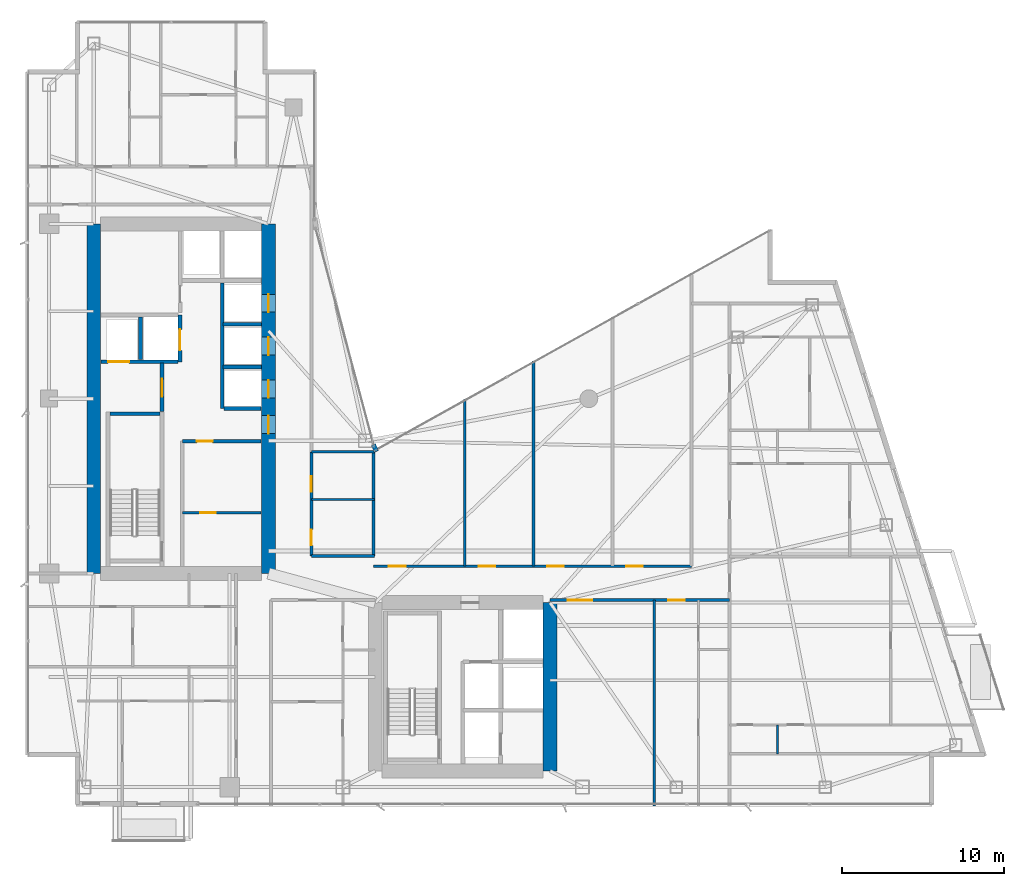
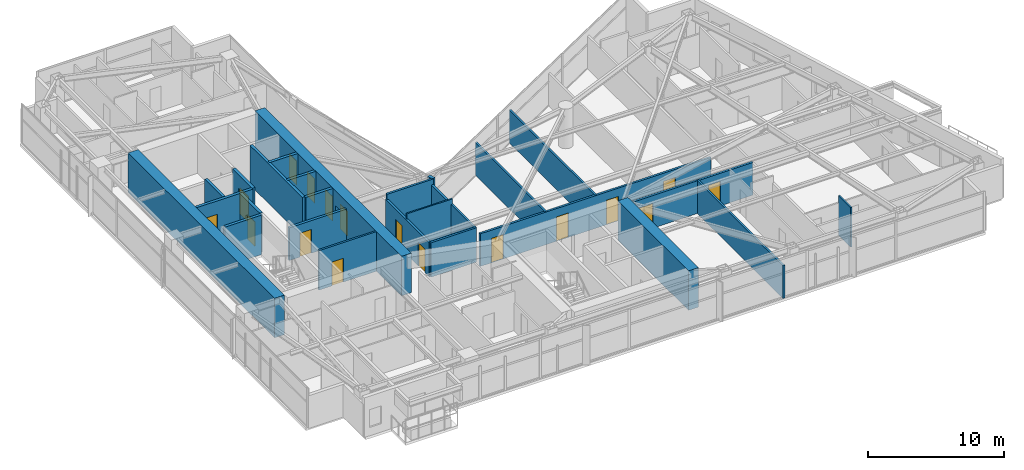
# One storey, part 23 of 29: 26 walls, 17 doors, 17 openings.
"""IFC4 building model written with IfcOpenShell, lengths in metres."""

from ifc_helpers import new_model, si_unit, direction, frame, frame_2d, origin, place, context, subcontext, project, spatial, rectangle, extrude, material, layer, layer_set, type_object, element, fill, save


model = new_model("IFC4")

# Units and contexts
model_context = context("Model", 3, precision=1e-05, world=origin(), true_north=direction((0.0, 1.0)))
body_context = subcontext(model_context, "Body", "Model", "MODEL_VIEW")
ifc_project = project(units=[si_unit("LENGTHUNIT", "METRE"), si_unit("AREAUNIT", "SQUARE_METRE"), si_unit("VOLUMEUNIT", "CUBIC_METRE"), si_unit("PLANEANGLEUNIT", "RADIAN"), si_unit("MASSUNIT", "GRAM", prefix="KILO")], contexts=[model_context])

# Site, building, storey
site_placement = place(None, origin())
site = spatial("IfcSite", under=ifc_project, at=site_placement, CompositionType="ELEMENT")
building_placement = place(site_placement, origin())
building = spatial("IfcBuilding", under=site, at=building_placement, Name="Calvorn Quay Hotel", CompositionType="ELEMENT")
storey_placement = place(building_placement, frame((0.0, 0.0, 148.5)))
storey = spatial("IfcBuildingStorey", under=building, at=storey_placement, Name="L36", CompositionType="ELEMENT", Elevation=148.5)

# Wall
ifc_material_1 = material(Name="Concrete C50", Category="concrete")
ifc_layer_1 = layer(ifc_material_1, 0.85009765625)
ifc_layer_set_1 = layer_set([ifc_layer_1], Name="WL-CORE-850")
wall_type_1 = type_object("IfcWallType", Name="WL-CORE-850", PredefinedType="SHEAR", material=ifc_layer_set_1)
wall_1_placement = place(storey_placement, frame((4.199951171875, 16.800048828125, 0.0), z_axis=(0.0, 0.0, 1.0), x_axis=(0.0, 1.0, 0.0)))
element("IfcWall", 1, at=wall_1_placement, inside=storey, type_object=wall_type_1, Name="West Core Shear Wall W (L36)", PredefinedType="SHEAR", context=body_context, shape_type="SweptSolid", body=[
    extrude(rectangle(XDim=21.599853515625, YDim=0.85009765625, at=frame_2d((10.7998046875, 0.0))), origin(), (0.0, 0.0, 1.0), 3.56005859375),
])

# Wall, openings, doors
wall_2_placement = place(storey_placement, frame((15.0, 16.800048828125, 0.0), z_axis=(0.0, 0.0, 1.0), x_axis=(0.0, 1.0, 0.0)))
wall_2 = element("IfcWall", 2, at=wall_2_placement, inside=storey, type_object=wall_type_1, Name="West Core Shear Wall E (L36)", PredefinedType="SHEAR", context=body_context, shape_type="SweptSolid", body=[
    extrude(rectangle(XDim=21.599853515625, YDim=0.85009765625, at=frame_2d((10.7998046875, 0.0))), origin(), (0.0, 0.0, 1.0), 3.56005859375),
])
opening_1_placement = place(wall_2_placement, frame((8.64990234375, 0.0, 0.0)))
opening_1 = element("IfcOpeningElement", 3, at=opening_1_placement, cuts=wall_2, Name="Opening D-L36-CW1", PredefinedType="OPENING", context=body_context, shape_type="SweptSolid", body=[
    extrude(rectangle(XDim=1.10009765625, YDim=2.199951171875, at=frame_2d((0.550048828125, 1.10009765625))), frame((0.0, 0.43505859375, 0.0), z_axis=(0.0, -1.0, 0.0), x_axis=(1.0, 0.0, 0.0)), (0.0, 0.0, 1.0), 0.8701171875),
])
opening_2_placement = place(wall_2_placement, frame((10.85009765625, 0.0, 0.0)))
opening_2 = element("IfcOpeningElement", 4, at=opening_2_placement, cuts=wall_2, Name="Opening LD-L36-M1", PredefinedType="OPENING", context=body_context, shape_type="SweptSolid", body=[
    extrude(rectangle(XDim=1.10009765625, YDim=2.199951171875, at=frame_2d((0.550048828125, 1.10009765625))), frame((0.0, 0.43505859375, 0.0), z_axis=(0.0, -1.0, 0.0), x_axis=(1.0, 0.0, 0.0)), (0.0, 0.0, 1.0), 0.8701171875),
])
opening_3_placement = place(wall_2_placement, frame((13.5, 0.0, 0.0)))
opening_3 = element("IfcOpeningElement", 5, at=opening_3_placement, cuts=wall_2, Name="Opening LD-L36-M2", PredefinedType="OPENING", context=body_context, shape_type="SweptSolid", body=[
    extrude(rectangle(XDim=1.10009765625, YDim=2.199951171875, at=frame_2d((0.550048828125, 1.10009765625))), frame((0.0, 0.43505859375, 0.0), z_axis=(0.0, -1.0, 0.0), x_axis=(1.0, 0.0, 0.0)), (0.0, 0.0, 1.0), 0.8701171875),
])
opening_4_placement = place(wall_2_placement, frame((16.14990234375, 0.0, 0.0)))
opening_4 = element("IfcOpeningElement", 6, at=opening_4_placement, cuts=wall_2, Name="Opening LD-L36-M3", PredefinedType="OPENING", context=body_context, shape_type="SweptSolid", body=[
    extrude(rectangle(XDim=1.10009765625, YDim=2.199951171875, at=frame_2d((0.550048828125, 1.10009765625))), frame((0.0, 0.43505859375, 0.0), z_axis=(0.0, -1.0, 0.0), x_axis=(1.0, 0.0, 0.0)), (0.0, 0.0, 1.0), 0.8701171875),
])
ifc_material_2 = material(Name="Smoke-Sealed Steel Class A Fire Door", Category="steel")
door_type_1 = type_object("IfcDoorType", Name="DR-FFLOBBY-1100", OperationType="NOTDEFINED", PredefinedType="DOOR", material=ifc_material_2)
door_1_placement = place(opening_1_placement, origin())
door_1 = element("IfcDoor", 7, at=door_1_placement, inside=storey, type_object=door_type_1, Name="West Core Vestibule Fire Door (L36)", OperationType="SINGLE_SWING_LEFT", OverallHeight=2.199951171875, OverallWidth=1.10009765625, PredefinedType="DOOR", context=body_context, shape_type="SweptSolid", body=[
    extrude(rectangle(XDim=1.10009765625, YDim=2.199951171875, at=frame_2d((0.550048828125, 1.10009765625))), frame((0.0, 0.02490234375, 0.0), z_axis=(0.0, -1.0, 0.0), x_axis=(1.0, 0.0, 0.0)), (0.0, 0.0, 1.0), 0.050048828125),
])
fill(opening_1, door_1)
ifc_material_3 = material(Name="Brushed Stainless Steel Sliding Lift Landing Door", Category="steel")
door_type_2 = type_object("IfcDoorType", Name="DR-LIFT-PASS-1100", OperationType="NOTDEFINED", PredefinedType="DOOR", material=ifc_material_3)
door_2_placement = place(opening_2_placement, origin())
door_2 = element("IfcDoor", 8, at=door_2_placement, inside=storey, type_object=door_type_2, Name="Mid-Rise Lift PL-M1 Landing Door (L36)", OperationType="DOUBLE_DOOR_SLIDING", OverallHeight=2.199951171875, OverallWidth=1.10009765625, PredefinedType="DOOR", context=body_context, shape_type="SweptSolid", body=[
    extrude(rectangle(XDim=1.10009765625, YDim=2.199951171875, at=frame_2d((0.550048828125, 1.10009765625))), frame((0.0, 0.02490234375, 0.0), z_axis=(0.0, -1.0, 0.0), x_axis=(1.0, 0.0, 0.0)), (0.0, 0.0, 1.0), 0.050048828125),
])
fill(opening_2, door_2)
door_3_placement = place(opening_3_placement, origin())
door_3 = element("IfcDoor", 9, at=door_3_placement, inside=storey, type_object=door_type_2, Name="Mid-Rise Lift PL-M2 Landing Door (L36)", OperationType="DOUBLE_DOOR_SLIDING", OverallHeight=2.199951171875, OverallWidth=1.10009765625, PredefinedType="DOOR", context=body_context, shape_type="SweptSolid", body=[
    extrude(rectangle(XDim=1.10009765625, YDim=2.199951171875, at=frame_2d((0.550048828125, 1.10009765625))), frame((0.0, 0.02490234375, 0.0), z_axis=(0.0, -1.0, 0.0), x_axis=(1.0, 0.0, 0.0)), (0.0, 0.0, 1.0), 0.050048828125),
])
fill(opening_3, door_3)
door_4_placement = place(opening_4_placement, origin())
door_4 = element("IfcDoor", 10, at=door_4_placement, inside=storey, type_object=door_type_2, Name="Mid-Rise Lift PL-M3 Landing Door (L36)", OperationType="DOUBLE_DOOR_SLIDING", OverallHeight=2.199951171875, OverallWidth=1.10009765625, PredefinedType="DOOR", context=body_context, shape_type="SweptSolid", body=[
    extrude(rectangle(XDim=1.10009765625, YDim=2.199951171875, at=frame_2d((0.550048828125, 1.10009765625))), frame((0.0, 0.02490234375, 0.0), z_axis=(0.0, -1.0, 0.0), x_axis=(1.0, 0.0, 0.0)), (0.0, 0.0, 1.0), 0.050048828125),
])
fill(opening_4, door_4)

# Walls
wall_3_placement = place(storey_placement, frame((32.39990234375, 4.60009765625, 0.0), z_axis=(0.0, 0.0, 1.0), x_axis=(0.0, 1.0, 0.0)))
element("IfcWall", 11, at=wall_3_placement, inside=storey, type_object=wall_type_1, Name="East Core Shear Wall E (L36)", PredefinedType="SHEAR", context=body_context, shape_type="SweptSolid", body=[
    extrude(rectangle(XDim=10.39990234375, YDim=0.85009765625, at=frame_2d((5.199951171875, 0.0))), origin(), (0.0, 0.0, 1.0), 3.56005859375),
])
ifc_material_4 = material(Name="Acoustic Fireboard Steel-Stud Partition", Category="steel")
ifc_layer_2 = layer(ifc_material_4, 0.179931640625)
ifc_layer_set_2 = layer_set([ifc_layer_2], Name="WL-CORR-FIRE-180")
wall_type_2 = type_object("IfcWallType", Name="WL-CORR-FIRE-180", PredefinedType="PARTITIONING", material=ifc_layer_set_2)
wall_4_placement = place(storey_placement, frame((17.64990234375, 17.8798828125, 0.0), z_axis=(0.0, 0.0, 1.0), x_axis=(1.0, 0.0, 0.0)))
element("IfcWall", 12, at=wall_4_placement, inside=storey, type_object=wall_type_2, Name="Partition Wall L36-WL-HK-S", PredefinedType="PARTITIONING", context=body_context, shape_type="SweptSolid", body=[
    extrude(rectangle(XDim=3.900146484375, YDim=0.179931640625, at=frame_2d((1.9501953125, 0.0))), origin(), (0.0, 0.0, 1.0), 3.090087890625),
])
wall_5_placement = place(storey_placement, frame((17.64990234375, 24.320068359375, 0.0), z_axis=(0.0, 0.0, 1.0), x_axis=(1.0, 0.0, 0.0)))
element("IfcWall", 13, at=wall_5_placement, inside=storey, type_object=wall_type_2, Name="Partition Wall L36-WL-HK-N", PredefinedType="PARTITIONING", context=body_context, shape_type="SweptSolid", body=[
    extrude(rectangle(XDim=3.9501953125, YDim=0.179931640625, at=frame_2d((1.97509765625, 0.0))), origin(), (0.0, 0.0, 1.0), 3.56005859375),
])
wall_6_placement = place(storey_placement, frame((21.5, 17.8798828125, 0.0), z_axis=(0.0, 0.0, 1.0), x_axis=(0.0, 1.0, 0.0)))
element("IfcWall", 14, at=wall_6_placement, inside=storey, type_object=wall_type_2, Name="Partition Wall L36-WL-HK-E", PredefinedType="PARTITIONING", context=body_context, shape_type="SweptSolid", body=[
    extrude(rectangle(XDim=6.440185546875, YDim=0.179931640625, at=frame_2d((3.22021484375, 0.0))), origin(), (0.0, 0.0, 1.0), 3.090087890625),
])

# Wall, openings, doors
wall_7_placement = place(storey_placement, frame((17.64990234375, 17.8798828125, 0.0), z_axis=(0.0, 0.0, 1.0), x_axis=(0.0, 1.0, 0.0)))
wall_7 = element("IfcWall", 15, at=wall_7_placement, inside=storey, type_object=wall_type_2, Name="Partition Wall L36-WL-HK-W", PredefinedType="PARTITIONING", context=body_context, shape_type="SweptSolid", body=[
    extrude(rectangle(XDim=6.440185546875, YDim=0.179931640625, at=frame_2d((3.22021484375, 0.0))), origin(), (0.0, 0.0, 1.0), 3.090087890625),
])
opening_5_placement = place(wall_7_placement, frame((0.64990234375, 0.0, 0.0)))
opening_5 = element("IfcOpeningElement", 16, at=opening_5_placement, cuts=wall_7, Name="Opening D-L36-HK", PredefinedType="OPENING", context=body_context, shape_type="SweptSolid", body=[
    extrude(rectangle(XDim=0.97998046875, YDim=2.14990234375, at=frame_2d((0.489990234375, 1.074951171875))), frame((0.0, 0.099853515625, 0.0), z_axis=(0.0, -1.0, 0.0), x_axis=(1.0, 0.0, 0.0)), (0.0, 0.0, 1.0), 0.199951171875),
])
opening_6_placement = place(wall_7_placement, frame((3.969970703125, 0.0, 0.0)))
opening_6 = element("IfcOpeningElement", 17, at=opening_6_placement, cuts=wall_7, Name="Opening D-L36-NCP", PredefinedType="OPENING", context=body_context, shape_type="SweptSolid", body=[
    extrude(rectangle(XDim=0.9599609375, YDim=2.199951171875, at=frame_2d((0.47998046875, 1.10009765625))), frame((0.0, 0.099853515625, 0.0), z_axis=(0.0, -1.0, 0.0), x_axis=(1.0, 0.0, 0.0)), (0.0, 0.0, 1.0), 0.199951171875),
])
ifc_material_5 = material(Name="Painted Steel Housekeeping/Riser Fire Door", Category="steel")
door_type_3 = type_object("IfcDoorType", Name="DR-SERVICE-980", OperationType="NOTDEFINED", PredefinedType="DOOR", material=ifc_material_5)
door_5_placement = place(opening_5_placement, origin())
door_5 = element("IfcDoor", 18, at=door_5_placement, inside=storey, type_object=door_type_3, Name="Floor Housekeeping Door (L36)", OperationType="SINGLE_SWING_LEFT", OverallHeight=2.14990234375, OverallWidth=0.97998046875, PredefinedType="DOOR", context=body_context, shape_type="SweptSolid", body=[
    extrude(rectangle(XDim=0.97998046875, YDim=2.14990234375, at=frame_2d((0.489990234375, 1.074951171875))), frame((0.0, 0.02490234375, 0.0), z_axis=(0.0, -1.0, 0.0), x_axis=(1.0, 0.0, 0.0)), (0.0, 0.0, 1.0), 0.050048828125),
])
fill(opening_5, door_5)
ifc_material_6 = material(Name="Solid Timber Internal Suite Door", Category="wood")
door_type_4 = type_object("IfcDoorType", Name="DR-SUITE-INT-960", OperationType="NOTDEFINED", PredefinedType="DOOR", material=ifc_material_6)
door_6_placement = place(opening_6_placement, origin())
door_6 = element("IfcDoor", 19, at=door_6_placement, inside=storey, type_object=door_type_4, Name="Reading Alcove Door (L36)", OperationType="SINGLE_SWING_RIGHT", OverallHeight=2.199951171875, OverallWidth=0.9599609375, PredefinedType="DOOR", context=body_context, shape_type="SweptSolid", body=[
    extrude(rectangle(XDim=0.9599609375, YDim=2.199951171875, at=frame_2d((0.47998046875, 1.10009765625))), frame((0.0, 0.02490234375, 0.0), z_axis=(0.0, -1.0, 0.0), x_axis=(1.0, 0.0, 0.0)), (0.0, 0.0, 1.0), 0.050048828125),
])
fill(opening_6, door_6)

wall_8_placement = place(storey_placement, frame((32.39990234375, 15.14990234375, 0.0), z_axis=(0.0, 0.0, 1.0), x_axis=(1.0, 0.0, 0.0)))
wall_8 = element("IfcWall", 20, at=wall_8_placement, inside=storey, type_object=wall_type_2, Name="Partition Wall L36-WL-CORR-SE-S", PredefinedType="PARTITIONING", context=body_context, shape_type="SweptSolid", body=[
    extrude(rectangle(XDim=11.10009765625, YDim=0.179931640625, at=frame_2d((5.550048828125, 0.0))), origin(), (0.0, 0.0, 1.0), 2.93994140625),
])
opening_7_placement = place(wall_8_placement, frame((1.10009765625, 0.0, 0.0)))
opening_7 = element("IfcOpeningElement", 21, at=opening_7_placement, cuts=wall_8, Name="Opening D-L36-SEM", PredefinedType="OPENING", context=body_context, shape_type="SweptSolid", body=[
    extrude(rectangle(XDim=1.5, YDim=2.219970703125, at=frame_2d((0.75, 1.10986328125))), frame((0.0, 0.099853515625, 0.0), z_axis=(0.0, -1.0, 0.0), x_axis=(1.0, 0.0, 0.0)), (0.0, 0.0, 1.0), 0.199951171875),
])
opening_8_placement = place(wall_8_placement, frame((7.300048828125, 0.0, 0.0)))
opening_8 = element("IfcOpeningElement", 22, at=opening_8_placement, cuts=wall_8, Name="Opening D-L36-U06", PredefinedType="OPENING", context=body_context, shape_type="SweptSolid", body=[
    extrude(rectangle(XDim=1.02001953125, YDim=2.199951171875, at=frame_2d((0.510009765625, 1.10009765625))), frame((0.0, 0.099853515625, 0.0), z_axis=(0.0, -1.0, 0.0), x_axis=(1.0, 0.0, 0.0)), (0.0, 0.0, 1.0), 0.199951171875),
])
ifc_material_7 = material(Name="Solid-Core Walnut Veneer Hotel Fire Door")
door_type_5 = type_object("IfcDoorType", Name="DR-GUEST-ENTRY-1020", OperationType="NOTDEFINED", PredefinedType="DOOR", material=ifc_material_7)
door_7_placement = place(opening_8_placement, origin())
door_7 = element("IfcDoor", 23, at=door_7_placement, inside=storey, type_object=door_type_5, Name="South-East Unit Door U06 (L36)", OperationType="SINGLE_SWING_RIGHT", OverallHeight=2.199951171875, OverallWidth=1.02001953125, PredefinedType="DOOR", context=body_context, shape_type="SweptSolid", body=[
    extrude(rectangle(XDim=1.02001953125, YDim=2.199951171875, at=frame_2d((0.510009765625, 1.10009765625))), frame((0.0, 0.02490234375, 0.0), z_axis=(0.0, -1.0, 0.0), x_axis=(1.0, 0.0, 0.0)), (0.0, 0.0, 1.0), 0.050048828125),
])
fill(opening_8, door_7)
ifc_material_8 = material(Name="Solid-Core Walnut Double Suite Entry Door")
door_type_6 = type_object("IfcDoorType", Name="DR-SUITE-DBL-1500", OperationType="NOTDEFINED", PredefinedType="DOOR", material=ifc_material_8)
door_8_placement = place(opening_7_placement, origin())
door_8 = element("IfcDoor", 24, at=door_8_placement, inside=storey, type_object=door_type_6, Name="Conference Salon Door (L36)", OperationType="SINGLE_SWING_LEFT", OverallHeight=2.219970703125, OverallWidth=1.5, PredefinedType="DOOR", context=body_context, shape_type="SweptSolid", body=[
    extrude(rectangle(XDim=1.5, YDim=2.219970703125, at=frame_2d((0.75, 1.10986328125))), frame((0.0, 0.02490234375, 0.0), z_axis=(0.0, -1.0, 0.0), x_axis=(1.0, 0.0, 0.0)), (0.0, 0.0, 1.0), 0.050048828125),
])
fill(opening_7, door_8)

wall_9_placement = place(storey_placement, frame((21.5, 17.25, 0.0), z_axis=(0.0, 0.0, 1.0), x_axis=(1.0, 0.0, 0.0)))
wall_9 = element("IfcWall", 25, at=wall_9_placement, inside=storey, type_object=wall_type_2, Name="Partition Wall L36-WL-CORR-NE-N", PredefinedType="PARTITIONING", context=body_context, shape_type="SweptSolid", body=[
    extrude(rectangle(XDim=19.64990234375, YDim=0.179931640625, at=frame_2d((9.824951171875, 0.0))), origin(), (0.0, 0.0, 1.0), 2.93994140625),
])
opening_9_placement = place(wall_9_placement, frame((0.949951171875, 0.0, 0.0)))
opening_9 = element("IfcOpeningElement", 26, at=opening_9_placement, cuts=wall_9, Name="Opening D-L36-NS1", PredefinedType="OPENING", context=body_context, shape_type="SweptSolid", body=[
    extrude(rectangle(XDim=1.02001953125, YDim=2.199951171875, at=frame_2d((0.510009765625, 1.10009765625))), frame((0.0, 0.099853515625, 0.0), z_axis=(0.0, -1.0, 0.0), x_axis=(1.0, 0.0, 0.0)), (0.0, 0.0, 1.0), 0.199951171875),
])
opening_10_placement = place(wall_9_placement, frame((6.489990234375, 0.0, 0.0)))
opening_10 = element("IfcOpeningElement", 27, at=opening_10_placement, cuts=wall_9, Name="Opening D-L36-NS2", PredefinedType="OPENING", context=body_context, shape_type="SweptSolid", body=[
    extrude(rectangle(XDim=1.02001953125, YDim=2.199951171875, at=frame_2d((0.510009765625, 1.10009765625))), frame((0.0, 0.099853515625, 0.0), z_axis=(0.0, -1.0, 0.0), x_axis=(1.0, 0.0, 0.0)), (0.0, 0.0, 1.0), 0.199951171875),
])
opening_11_placement = place(wall_9_placement, frame((10.72998046875, 0.0, 0.0)))
opening_11 = element("IfcOpeningElement", 28, at=opening_11_placement, cuts=wall_9, Name="Opening D-L36-NS3", PredefinedType="OPENING", context=body_context, shape_type="SweptSolid", body=[
    extrude(rectangle(XDim=1.02001953125, YDim=2.199951171875, at=frame_2d((0.510009765625, 1.10009765625))), frame((0.0, 0.099853515625, 0.0), z_axis=(0.0, -1.0, 0.0), x_axis=(1.0, 0.0, 0.0)), (0.0, 0.0, 1.0), 0.199951171875),
])
opening_12_placement = place(wall_9_placement, frame((15.610107421875, 0.0, 0.0)))
opening_12 = element("IfcOpeningElement", 29, at=opening_12_placement, cuts=wall_9, Name="Opening D-L36-NS4", PredefinedType="OPENING", context=body_context, shape_type="SweptSolid", body=[
    extrude(rectangle(XDim=1.02001953125, YDim=2.199951171875, at=frame_2d((0.510009765625, 1.10009765625))), frame((0.0, 0.099853515625, 0.0), z_axis=(0.0, -1.0, 0.0), x_axis=(1.0, 0.0, 0.0)), (0.0, 0.0, 1.0), 0.199951171875),
])
door_9_placement = place(opening_9_placement, origin())
door_9 = element("IfcDoor", 30, at=door_9_placement, inside=storey, type_object=door_type_5, Name="Conservatory Salon Door 1 (L36)", OperationType="SINGLE_SWING_RIGHT", OverallHeight=2.199951171875, OverallWidth=1.02001953125, PredefinedType="DOOR", context=body_context, shape_type="SweptSolid", body=[
    extrude(rectangle(XDim=1.02001953125, YDim=2.199951171875, at=frame_2d((0.510009765625, 1.10009765625))), frame((0.0, 0.02490234375, 0.0), z_axis=(0.0, -1.0, 0.0), x_axis=(1.0, 0.0, 0.0)), (0.0, 0.0, 1.0), 0.050048828125),
])
fill(opening_9, door_9)
door_10_placement = place(opening_10_placement, origin())
door_10 = element("IfcDoor", 31, at=door_10_placement, inside=storey, type_object=door_type_5, Name="Conservatory Salon Door 2 (L36)", OperationType="SINGLE_SWING_LEFT", OverallHeight=2.199951171875, OverallWidth=1.02001953125, PredefinedType="DOOR", context=body_context, shape_type="SweptSolid", body=[
    extrude(rectangle(XDim=1.02001953125, YDim=2.199951171875, at=frame_2d((0.510009765625, 1.10009765625))), frame((0.0, 0.02490234375, 0.0), z_axis=(0.0, -1.0, 0.0), x_axis=(1.0, 0.0, 0.0)), (0.0, 0.0, 1.0), 0.050048828125),
])
fill(opening_10, door_10)
door_11_placement = place(opening_11_placement, origin())
door_11 = element("IfcDoor", 32, at=door_11_placement, inside=storey, type_object=door_type_5, Name="Conservatory Salon Door 3 (L36)", OperationType="SINGLE_SWING_RIGHT", OverallHeight=2.199951171875, OverallWidth=1.02001953125, PredefinedType="DOOR", context=body_context, shape_type="SweptSolid", body=[
    extrude(rectangle(XDim=1.02001953125, YDim=2.199951171875, at=frame_2d((0.510009765625, 1.10009765625))), frame((0.0, 0.02490234375, 0.0), z_axis=(0.0, -1.0, 0.0), x_axis=(1.0, 0.0, 0.0)), (0.0, 0.0, 1.0), 0.050048828125),
])
fill(opening_11, door_11)
door_12_placement = place(opening_12_placement, origin())
door_12 = element("IfcDoor", 33, at=door_12_placement, inside=storey, type_object=door_type_5, Name="Conservatory Salon Door 4 (L36)", OperationType="SINGLE_SWING_LEFT", OverallHeight=2.199951171875, OverallWidth=1.02001953125, PredefinedType="DOOR", context=body_context, shape_type="SweptSolid", body=[
    extrude(rectangle(XDim=1.02001953125, YDim=2.199951171875, at=frame_2d((0.510009765625, 1.10009765625))), frame((0.0, 0.02490234375, 0.0), z_axis=(0.0, -1.0, 0.0), x_axis=(1.0, 0.0, 0.0)), (0.0, 0.0, 1.0), 0.050048828125),
])
fill(opening_12, door_12)

# Walls
ifc_material_9 = material(Name="Moisture-Resistant Tile-Backed Partition")
ifc_layer_3 = layer(ifc_material_9, 0.125)
ifc_layer_set_3 = layer_set([ifc_layer_3], Name="WL-ENSUITE-125")
wall_type_3 = type_object("IfcWallType", Name="WL-ENSUITE-125", PredefinedType="PARTITIONING", material=ifc_layer_set_3)
wall_10_placement = place(storey_placement, frame((17.64990234375, 21.3798828125, 0.0), z_axis=(0.0, 0.0, 1.0), x_axis=(1.0, 0.0, 0.0)))
element("IfcWall", 34, at=wall_10_placement, inside=storey, type_object=wall_type_3, Name="Partition Wall L36-WL-HK-M", PredefinedType="PARTITIONING", context=body_context, shape_type="SweptSolid", body=[
    extrude(rectangle(XDim=3.900146484375, YDim=0.125, at=frame_2d((1.9501953125, 0.0))), origin(), (0.0, 0.0, 1.0), 3.56005859375),
])
wall_11_placement = place(storey_placement, frame((46.449951171875, 5.659912109375, 0.0), z_axis=(0.0, 0.0, 1.0), x_axis=(0.0, 1.0, 0.0)))
element("IfcWall", 35, at=wall_11_placement, inside=storey, type_object=wall_type_3, Name="Partition Wall L36-WL-U07-BDV", PredefinedType="PARTITIONING", context=body_context, shape_type="SweptSolid", body=[
    extrude(rectangle(XDim=1.7900390625, YDim=0.125, at=frame_2d((0.89501953125, 0.0))), origin(), (0.0, 0.0, 1.0), 3.56005859375),
])
ifc_material_10 = material(Name="Concrete C40", Category="concrete")
ifc_layer_4 = layer(ifc_material_10, 0.320068359375)
ifc_layer_set_4 = layer_set([ifc_layer_4], Name="WL-EXT-SPANDREL-320")
wall_type_4 = type_object("IfcWallType", Name="WL-EXT-SPANDREL-320", PredefinedType="SOLIDWALL", material=ifc_layer_set_4)
wall_12_placement = place(storey_placement, frame((21.679931640625, 24.340087890625, 0.0), z_axis=(0.0, 0.0, 1.0), x_axis=(-0.40758134973, 0.913168901875, 0.0)))
element("IfcWall", 36, at=wall_12_placement, inside=storey, type_object=wall_type_4, Name="Inner Court Corner Pier L36-ICJ1", PredefinedType="SOLIDWALL", context=body_context, shape_type="SweptSolid", body=[
    extrude(rectangle(XDim=0.470703125, YDim=0.280029296875, at=frame_2d((0.2353515625, 0.0))), origin(), (0.0, 0.0, 1.0), 3.56005859375),
])

# Wall, opening, door
ifc_material_11 = material(Name="Double-Stud Acoustic Gypsum Partition")
ifc_layer_5 = layer(ifc_material_11, 0.159912109375)
ifc_layer_set_5 = layer_set([ifc_layer_5], Name="WL-INTERSUITE-160")
wall_type_5 = type_object("IfcWallType", Name="WL-INTERSUITE-160", PredefinedType="PARTITIONING", material=ifc_layer_set_5)
wall_13_placement = place(storey_placement, frame((9.679931640625, 20.550048828125, 0.0), z_axis=(0.0, 0.0, 1.0), x_axis=(1.0, 0.0, 0.0)))
wall_13 = element("IfcWall", 37, at=wall_13_placement, inside=storey, type_object=wall_type_5, Name="Partition Wall L36-WL-CWW-FR-SPLIT", PredefinedType="PARTITIONING", context=body_context, shape_type="SweptSolid", body=[
    extrude(rectangle(XDim=4.875, YDim=0.159912109375, at=frame_2d((2.4375, 0.0))), origin(), (0.0, 0.0, 1.0), 3.56005859375),
])
opening_13_placement = place(wall_13_placement, frame((1.10009765625, 0.0, 0.0)))
opening_13 = element("IfcOpeningElement", 38, at=opening_13_placement, cuts=wall_13, Name="Opening D-L36-FRL1", PredefinedType="OPENING", context=body_context, shape_type="SweptSolid", body=[
    extrude(rectangle(XDim=0.97998046875, YDim=2.14990234375, at=frame_2d((0.489990234375, 1.074951171875))), frame((0.0, 0.08984375, 0.0), z_axis=(0.0, -1.0, 0.0), x_axis=(1.0, 0.0, 0.0)), (0.0, 0.0, 1.0), 0.179931640625),
])
door_13_placement = place(opening_13_placement, origin())
door_13 = element("IfcDoor", 39, at=door_13_placement, inside=storey, type_object=door_type_3, Name="Linen Store Room Door (L36)", OperationType="SINGLE_SWING_LEFT", OverallHeight=2.14990234375, OverallWidth=0.97998046875, PredefinedType="DOOR", context=body_context, shape_type="SweptSolid", body=[
    extrude(rectangle(XDim=0.97998046875, YDim=2.14990234375, at=frame_2d((0.489990234375, 1.074951171875))), frame((0.0, 0.02490234375, 0.0), z_axis=(0.0, -1.0, 0.0), x_axis=(1.0, 0.0, 0.0)), (0.0, 0.0, 1.0), 0.050048828125),
])
fill(opening_13, door_13)

# Walls
wall_14_placement = place(storey_placement, frame((38.85009765625, 2.43994140625, 0.0), z_axis=(0.0, 0.0, 1.0), x_axis=(0.0, 1.0, 0.0)))
element("IfcWall", 40, at=wall_14_placement, inside=storey, type_object=wall_type_5, Name="Partition Wall L36-WL-SE-DIV-1", PredefinedType="PARTITIONING", context=body_context, shape_type="SweptSolid", body=[
    extrude(rectangle(XDim=12.7099609375, YDim=0.159912109375, at=frame_2d((6.35498046875, 0.0))), origin(), (0.0, 0.0, 1.0), 2.93994140625),
])
wall_15_placement = place(storey_placement, frame((27.139892578125, 17.25, 0.0), z_axis=(0.0, 0.0, 1.0), x_axis=(0.0, 1.0, 0.0)))
element("IfcWall", 41, at=wall_15_placement, inside=storey, type_object=wall_type_5, Name="Partition Wall L36-WL-NE-DIV-1", PredefinedType="PARTITIONING", context=body_context, shape_type="SweptSolid", body=[
    extrude(rectangle(XDim=10.320068359375, YDim=0.159912109375, at=frame_2d((5.16015625, 0.0))), origin(), (0.0, 0.0, 1.0), 2.93994140625),
])
wall_16_placement = place(storey_placement, frame((31.3798828125, 17.25, 0.0), z_axis=(0.0, 0.0, 1.0), x_axis=(0.0, 1.0, 0.0)))
element("IfcWall", 42, at=wall_16_placement, inside=storey, type_object=wall_type_5, Name="Partition Wall L36-WL-NE-DIV-2", PredefinedType="PARTITIONING", context=body_context, shape_type="SweptSolid", body=[
    extrude(rectangle(XDim=12.679931640625, YDim=0.159912109375, at=frame_2d((6.33984375, 0.0))), origin(), (0.0, 0.0, 1.0), 2.93994140625),
])

# Wall, opening, door
ifc_material_12 = material(Name="Autoclaved Aerated Masonry Block", Category="masonry")
ifc_layer_6 = layer(ifc_material_12, 0.219970703125)
ifc_layer_set_6 = layer_set([ifc_layer_6], Name="WL-LOBBY-FIRE-220")
wall_type_6 = type_object("IfcWallType", Name="WL-LOBBY-FIRE-220", PredefinedType="SOLIDWALL", material=ifc_layer_set_6)
wall_17_placement = place(storey_placement, frame((9.679931640625, 24.969970703125, 0.0), z_axis=(0.0, 0.0, 1.0), x_axis=(1.0, 0.0, 0.0)))
wall_17 = element("IfcWall", 43, at=wall_17_placement, inside=storey, type_object=wall_type_6, Name="Partition Wall L36-WL-CWW-FR-N", PredefinedType="SOLIDWALL", context=body_context, shape_type="SweptSolid", body=[
    extrude(rectangle(XDim=4.875, YDim=0.219970703125, at=frame_2d((2.4375, 0.0))), origin(), (0.0, 0.0, 1.0), 2.93994140625),
])
opening_14_placement = place(wall_17_placement, frame((0.89990234375, 0.0, 0.0)))
opening_14 = element("IfcOpeningElement", 44, at=opening_14_placement, cuts=wall_17, Name="Opening D-L36-FRL2", PredefinedType="OPENING", context=body_context, shape_type="SweptSolid", body=[
    extrude(rectangle(XDim=0.97998046875, YDim=2.14990234375, at=frame_2d((0.489990234375, 1.074951171875))), frame((0.0, 0.119873046875, 0.0), z_axis=(0.0, -1.0, 0.0), x_axis=(1.0, 0.0, 0.0)), (0.0, 0.0, 1.0), 0.239990234375),
])
door_14_placement = place(opening_14_placement, origin())
door_14 = element("IfcDoor", 45, at=door_14_placement, inside=storey, type_object=door_type_3, Name="Beverage Pantry Door (L36)", OperationType="SINGLE_SWING_RIGHT", OverallHeight=2.14990234375, OverallWidth=0.97998046875, PredefinedType="DOOR", context=body_context, shape_type="SweptSolid", body=[
    extrude(rectangle(XDim=0.97998046875, YDim=2.14990234375, at=frame_2d((0.489990234375, 1.074951171875))), frame((0.0, 0.02490234375, 0.0), z_axis=(0.0, -1.0, 0.0), x_axis=(1.0, 0.0, 0.0)), (0.0, 0.0, 1.0), 0.050048828125),
])
fill(opening_14, door_14)

# Walls
ifc_material_13 = material(Name="Concrete C40", Category="concrete")
ifc_layer_7 = layer(ifc_material_13, 0.239990234375)
ifc_layer_set_7 = layer_set([ifc_layer_7], Name="WL-SHAFT-240")
wall_type_7 = type_object("IfcWallType", Name="WL-SHAFT-240", PredefinedType="SOLIDWALL", material=ifc_layer_set_7)
wall_18_placement = place(storey_placement, frame((5.199951171875, 26.669921875, 0.0), z_axis=(0.0, 0.0, 1.0), x_axis=(1.0, 0.0, 0.0)))
element("IfcWall", 46, at=wall_18_placement, inside=storey, type_object=wall_type_7, Name="Stair STW Shaft Wall N (L36)", PredefinedType="SOLIDWALL", context=body_context, shape_type="SweptSolid", body=[
    extrude(rectangle(XDim=3.10009765625, YDim=0.239990234375, at=frame_2d((1.550048828125, 0.0))), origin(), (0.0, 0.0, 1.0), 3.56005859375),
])
for number, where, z_axis, x_axis, name in (
    (47, (12.179931640625, 29.550048828125, 0.0), (0.0, 0.0, 1.0), (1.0, 0.0, 0.0), "Lift Hoistway Divider Wall PLM12 (L36)"),
    (48, (12.179931640625, 32.199951171875, 0.0), (0.0, 0.0, 1.0), (1.0, 0.0, 0.0), "Lift Hoistway Divider Wall PLM23 (L36)"),
):
    element("IfcWall", number, at=place(storey_placement, frame(where, z_axis=z_axis, x_axis=x_axis)), inside=storey, type_object=wall_type_7, Name=name, PredefinedType="SOLIDWALL", context=body_context, shape_type="SweptSolid", body=[
        extrude(rectangle(XDim=2.39501953125, YDim=0.239990234375, at=frame_2d((1.197509765625, 0.0))), origin(), (0.0, 0.0, 1.0), 3.56005859375),
    ])

# Wall, opening, door
wall_19_placement = place(storey_placement, frame((8.419921875, 26.820068359375, 0.0), z_axis=(0.0, 0.0, 1.0), x_axis=(0.0, 1.0, 0.0)))
wall_19 = element("IfcWall", 49, at=wall_19_placement, inside=storey, type_object=wall_type_7, Name="Partition Wall L36-WL-CWW-FFL-E", PredefinedType="SOLIDWALL", context=body_context, shape_type="SweptSolid", body=[
    extrude(rectangle(XDim=3.0, YDim=0.239990234375, at=frame_2d((1.5, 0.0))), origin(), (0.0, 0.0, 1.0), 3.56005859375),
])
opening_15_placement = place(wall_19_placement, frame((0.89990234375, 0.0, 0.0)))
opening_15 = element("IfcOpeningElement", 50, at=opening_15_placement, cuts=wall_19, Name="Opening D-L36-FLW", PredefinedType="OPENING", context=body_context, shape_type="SweptSolid", body=[
    extrude(rectangle(XDim=1.10009765625, YDim=2.199951171875, at=frame_2d((0.550048828125, 1.10009765625))), frame((0.0, 0.1298828125, 0.0), z_axis=(0.0, -1.0, 0.0), x_axis=(1.0, 0.0, 0.0)), (0.0, 0.0, 1.0), 0.260009765625),
])
door_15_placement = place(opening_15_placement, origin())
door_15 = element("IfcDoor", 51, at=door_15_placement, inside=storey, type_object=door_type_1, Name="West Firefighting Lobby Fire Door (L36)", OperationType="SINGLE_SWING_RIGHT", OverallHeight=2.199951171875, OverallWidth=1.10009765625, PredefinedType="DOOR", context=body_context, shape_type="SweptSolid", body=[
    extrude(rectangle(XDim=1.10009765625, YDim=2.199951171875, at=frame_2d((0.550048828125, 1.10009765625))), frame((0.0, 0.02490234375, 0.0), z_axis=(0.0, -1.0, 0.0), x_axis=(1.0, 0.0, 0.0)), (0.0, 0.0, 1.0), 0.050048828125),
])
fill(opening_15, door_15)

wall_20_placement = place(storey_placement, frame((4.64501953125, 29.8798828125, 0.0), z_axis=(0.0, 0.0, 1.0), x_axis=(1.0, 0.0, 0.0)))
wall_20 = element("IfcWall", 52, at=wall_20_placement, inside=storey, type_object=wall_type_7, Name="Partition Wall L36-WL-CWW-FLW-S", PredefinedType="SOLIDWALL", context=body_context, shape_type="SweptSolid", body=[
    extrude(rectangle(XDim=4.77490234375, YDim=0.239990234375, at=frame_2d((2.387451171875, 0.0))), origin(), (0.0, 0.0, 1.0), 3.56005859375),
])
opening_16_placement = place(wall_20_placement, frame((0.449951171875, 0.0, 0.0)))
opening_16 = element("IfcOpeningElement", 53, at=opening_16_placement, cuts=wall_20, Name="Opening LD-L36-FLW1", PredefinedType="OPENING", context=body_context, shape_type="SweptSolid", body=[
    extrude(rectangle(XDim=1.300048828125, YDim=2.35009765625, at=frame_2d((0.64990234375, 1.175048828125))), frame((0.0, 0.1298828125, 0.0), z_axis=(0.0, -1.0, 0.0), x_axis=(1.0, 0.0, 0.0)), (0.0, 0.0, 1.0), 0.260009765625),
])
ifc_material_14 = material(Name="Champagne-Bronze Sliding Express Lift Landing Door")
door_type_7 = type_object("IfcDoorType", Name="DR-LIFT-SHUTTLE-1300", OperationType="NOTDEFINED", PredefinedType="DOOR", material=ifc_material_14)
door_16_placement = place(opening_16_placement, origin())
door_16 = element("IfcDoor", 54, at=door_16_placement, inside=storey, type_object=door_type_7, Name="Firefighting Lift FL-W1 Landing Door (L36)", OperationType="DOUBLE_DOOR_SLIDING", OverallHeight=2.35009765625, OverallWidth=1.300048828125, PredefinedType="DOOR", context=body_context, shape_type="SweptSolid", body=[
    extrude(rectangle(XDim=1.300048828125, YDim=2.35009765625, at=frame_2d((0.64990234375, 1.175048828125))), frame((0.0, 0.02490234375, 0.0), z_axis=(0.0, -1.0, 0.0), x_axis=(1.0, 0.0, 0.0)), (0.0, 0.0, 1.0), 0.050048828125),
])
fill(opening_16, door_16)

# Wall
wall_21_placement = place(storey_placement, frame((7.10009765625, 30.02001953125, 0.0), z_axis=(0.0, 0.0, 1.0), x_axis=(0.0, 1.0, 0.0)))
element("IfcWall", 55, at=wall_21_placement, inside=storey, type_object=wall_type_7, Name="Partition Wall L36-WL-CWW-FLW-DIV", PredefinedType="SOLIDWALL", context=body_context, shape_type="SweptSolid", body=[
    extrude(rectangle(XDim=2.6298828125, YDim=0.239990234375, at=frame_2d((1.31494140625, 0.0))), origin(), (0.0, 0.0, 1.0), 3.56005859375),
])

# Wall, opening, door
wall_22_placement = place(storey_placement, frame((9.5400390625, 29.8798828125, 0.0), z_axis=(0.0, 0.0, 1.0), x_axis=(0.0, 1.0, 0.0)))
wall_22 = element("IfcWall", 56, at=wall_22_placement, inside=storey, type_object=wall_type_7, Name="Partition Wall L36-WL-CWW-SLW-E", PredefinedType="SOLIDWALL", context=body_context, shape_type="SweptSolid", body=[
    extrude(rectangle(XDim=2.900146484375, YDim=0.239990234375, at=frame_2d((1.4501953125, 0.0))), origin(), (0.0, 0.0, 1.0), 3.56005859375),
])
opening_17_placement = place(wall_22_placement, frame((0.699951171875, 0.0, 0.0)))
opening_17 = element("IfcOpeningElement", 57, at=opening_17_placement, cuts=wall_22, Name="Opening LD-L36-SLW1", PredefinedType="OPENING", context=body_context, shape_type="SweptSolid", body=[
    extrude(rectangle(XDim=1.300048828125, YDim=2.35009765625, at=frame_2d((0.64990234375, 1.175048828125))), frame((0.0, 0.1298828125, 0.0), z_axis=(0.0, -1.0, 0.0), x_axis=(1.0, 0.0, 0.0)), (0.0, 0.0, 1.0), 0.260009765625),
])
door_17_placement = place(opening_17_placement, origin())
door_17 = element("IfcDoor", 58, at=door_17_placement, inside=storey, type_object=door_type_7, Name="Service Lift SL-W1 Landing Door (L36)", OperationType="DOUBLE_DOOR_SLIDING", OverallHeight=2.35009765625, OverallWidth=1.300048828125, PredefinedType="DOOR", context=body_context, shape_type="SweptSolid", body=[
    extrude(rectangle(XDim=1.300048828125, YDim=2.35009765625, at=frame_2d((0.64990234375, 1.175048828125))), frame((0.0, 0.02490234375, 0.0), z_axis=(0.0, -1.0, 0.0), x_axis=(1.0, 0.0, 0.0)), (0.0, 0.0, 1.0), 0.050048828125),
])
fill(opening_17, door_17)

# Walls
wall_23_placement = place(storey_placement, frame((12.25, 27.0, 0.0), z_axis=(0.0, 0.0, 1.0), x_axis=(1.0, 0.0, 0.0)))
element("IfcWall", 59, at=wall_23_placement, inside=storey, type_object=wall_type_7, Name="Partition Wall L36-WL-CWW-PLM-S", PredefinedType="SOLIDWALL", context=body_context, shape_type="SweptSolid", body=[
    extrude(rectangle(XDim=2.304931640625, YDim=0.239990234375, at=frame_2d((1.15234375, 0.0))), origin(), (0.0, 0.0, 1.0), 3.56005859375),
])
wall_24_placement = place(storey_placement, frame((12.14990234375, 27.0, 0.0), z_axis=(0.0, 0.0, 1.0), x_axis=(0.0, 1.0, 0.0)))
element("IfcWall", 60, at=wall_24_placement, inside=storey, type_object=wall_type_7, Name="Partition Wall L36-WL-CWW-PLM-W", PredefinedType="SOLIDWALL", context=body_context, shape_type="SweptSolid", body=[
    extrude(rectangle(XDim=7.75, YDim=0.239990234375, at=frame_2d((3.875, 0.0))), origin(), (0.0, 0.0, 1.0), 3.56005859375),
])

save(model, "model.ifc")
